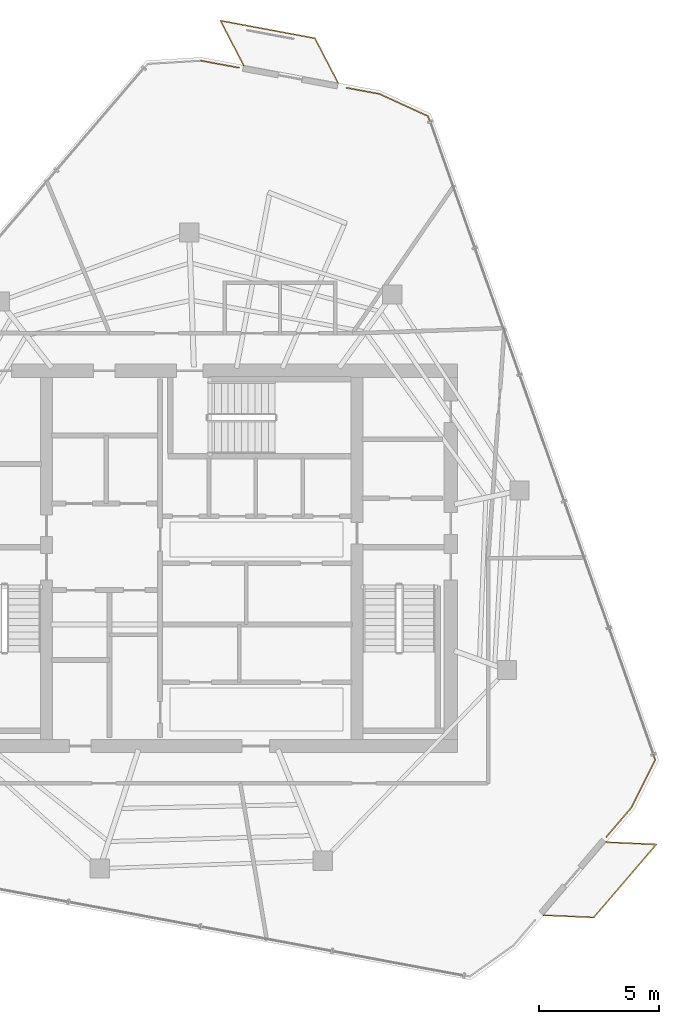
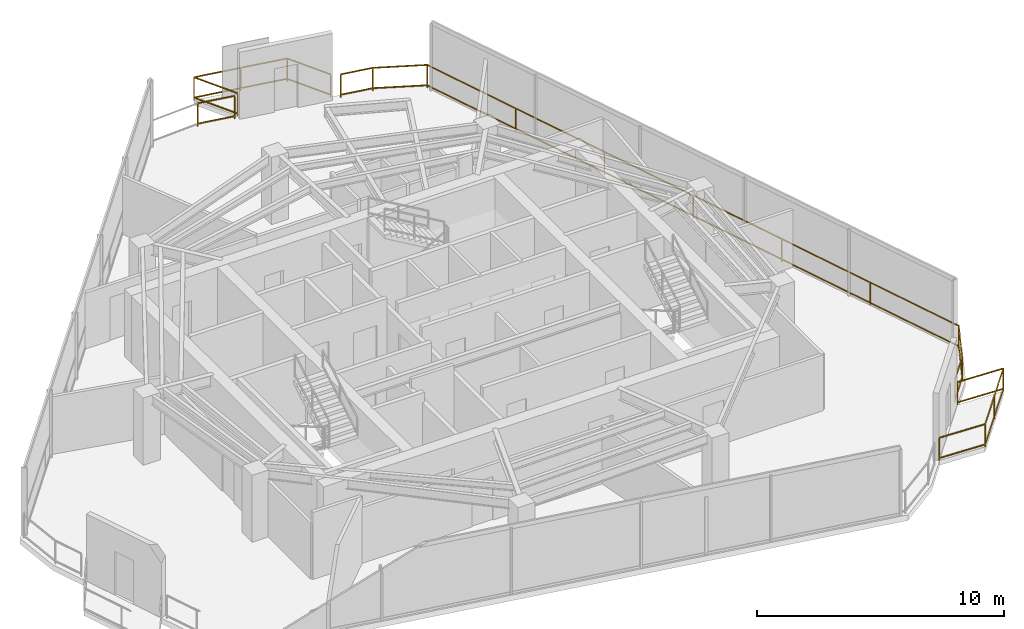
# One storey, part 18 of 18: 4 railings.
"""IFC4 building model written with IfcOpenShell, lengths in metres."""

from ifc_helpers import new_model, si_unit, direction, frame, origin, origin_2d, place, context, subcontext, project, spatial, rectangle, extrude, material, type_object, element, save


model = new_model("IFC4")

# Units and contexts
model_context = context("Model", 3, precision=1e-05, world=origin(), true_north=direction((0.0, 1.0)))
body_context = subcontext(model_context, "Body", "Model", "MODEL_VIEW")
ifc_project = project(units=[si_unit("LENGTHUNIT", "METRE"), si_unit("AREAUNIT", "SQUARE_METRE"), si_unit("VOLUMEUNIT", "CUBIC_METRE"), si_unit("PLANEANGLEUNIT", "RADIAN"), si_unit("MASSUNIT", "GRAM", prefix="KILO")], contexts=[model_context])

# Site, building, storey
site_placement = place(None, origin())
site = spatial("IfcSite", under=ifc_project, at=site_placement, CompositionType="ELEMENT")
building_placement = place(site_placement, origin())
building = spatial("IfcBuilding", under=site, at=building_placement, Name="Qarnah Convention Tower", CompositionType="ELEMENT")
storey_placement = place(building_placement, frame((0.0, 0.0, 253.5)))
storey = spatial("IfcBuildingStorey", under=building, at=storey_placement, Name="L68", CompositionType="ELEMENT", Elevation=253.5)

# Railings
ifc_material = material(Name="Black anodised aluminium", Category="aluminium")
railing_type = type_object("IfcRailingType", Name="RL-EXT-GUARD-1150", PredefinedType="GUARDRAIL", material=ifc_material)
railing_1_placement = place(storey_placement, frame((37.22412109375, 47.080078125, 0.0)))
element("IfcRailing", 1, at=railing_1_placement, inside=storey, type_object=railing_type, Name="L68 slab-edge perimeter safety guard 01", PredefinedType="GUARDRAIL", context=body_context, shape_type="SweptSolid", body=[
    extrude(rectangle(XDim=0.048095703125, YDim=0.048095703125, at=origin_2d()), frame((0.0, 0.0, 1.1259765625), z_axis=(0.983034999303, -0.183418074753, 0.0), x_axis=(0.183418074753, 0.983034999303, 0.0)), (0.0, 0.0, 1.0), 1.592041015625),
    extrude(rectangle(XDim=0.048095703125, YDim=0.048095703125, at=origin_2d()), frame((0.0, 0.0, 0.1201171875), z_axis=(0.983034999303, -0.183418074753, 0.0), x_axis=(0.183418074753, 0.983034999303, 0.0)), (0.0, 0.0, 1.0), 1.592041015625),
    extrude(rectangle(XDim=0.0419921875, YDim=0.0419921875, at=origin_2d()), origin(), (0.0, 0.0, 1.0), 1.101806640625),
    extrude(rectangle(XDim=0.0419921875, YDim=0.0419921875, at=origin_2d()), frame((1.56494140625, -0.2919921875, 0.0)), (0.0, 0.0, 1.0), 1.101806640625),
])
railing_2_placement = place(storey_placement, frame((43.27001953125, 45.952880859375, 0.0)))
element("IfcRailing", 2, at=railing_2_placement, inside=storey, type_object=railing_type, Name="L68 slab-edge perimeter safety guard 02", PredefinedType="GUARDRAIL", context=body_context, shape_type="SweptSolid", body=[
    extrude(rectangle(XDim=0.048095703125, YDim=0.048095703125, at=origin_2d()), frame((0.0, 0.0, 1.1259765625), z_axis=(0.98311527336, -0.182987320015, 0.0), x_axis=(0.182987320015, 0.98311527336, 0.0)), (0.0, 0.0, 1.0), 1.38232421875),
    extrude(rectangle(XDim=0.048095703125, YDim=0.048095703125, at=origin_2d()), frame((0.0, 0.0, 0.1201171875), z_axis=(0.98311527336, -0.182987320015, 0.0), x_axis=(0.182987320015, 0.98311527336, 0.0)), (0.0, 0.0, 1.0), 1.38232421875),
    extrude(rectangle(XDim=0.048095703125, YDim=0.048095703125, at=origin_2d()), frame((1.35888671875, -0.2529296875, 1.1259765625), z_axis=(0.909366393646, -0.415996108285, 0.0), x_axis=(0.415996108285, 0.909366393646, 0.0)), (0.0, 0.0, 1.0), 2.221435546875),
    extrude(rectangle(XDim=0.048095703125, YDim=0.048095703125, at=origin_2d()), frame((1.35888671875, -0.2529296875, 0.1201171875), z_axis=(0.909366393646, -0.415996108285, 0.0), x_axis=(0.415996108285, 0.909366393646, 0.0)), (0.0, 0.0, 1.0), 2.221435546875),
    extrude(rectangle(XDim=0.048095703125, YDim=0.048095703125, at=origin_2d()), frame((3.37890625, -1.177001953125, 1.1259765625), z_axis=(0.332808863501, -0.94299430559, 0.0), x_axis=(0.94299430559, 0.332808863501, 0.0)), (0.0, 0.0, 1.0), 28.3681640625),
    extrude(rectangle(XDim=0.048095703125, YDim=0.048095703125, at=origin_2d()), frame((3.37890625, -1.177001953125, 0.1201171875), z_axis=(0.332808863501, -0.94299430559, 0.0), x_axis=(0.94299430559, 0.332808863501, 0.0)), (0.0, 0.0, 1.0), 28.3681640625),
    extrude(rectangle(XDim=0.048095703125, YDim=0.048095703125, at=origin_2d()), frame((12.820068359375, -27.927978515625, 1.1259765625), z_axis=(-0.447301558245, -0.89438320422, 0.0), x_axis=(0.89438320422, -0.447301558245, 0.0)), (0.0, 0.0, 1.0), 2.220458984375),
    extrude(rectangle(XDim=0.048095703125, YDim=0.048095703125, at=origin_2d()), frame((12.820068359375, -27.927978515625, 0.1201171875), z_axis=(-0.447301558245, -0.89438320422, 0.0), x_axis=(0.89438320422, -0.447301558245, 0.0)), (0.0, 0.0, 1.0), 2.220458984375),
    extrude(rectangle(XDim=0.048095703125, YDim=0.048095703125, at=origin_2d()), frame((11.826904296875, -29.913818359375, 1.1259765625), z_axis=(-0.649995467866, -0.759938084158, 0.0), x_axis=(0.759938084158, -0.649995467866, 0.0)), (0.0, 0.0, 1.0), 1.59228515625),
    extrude(rectangle(XDim=0.048095703125, YDim=0.048095703125, at=origin_2d()), frame((11.826904296875, -29.913818359375, 0.1201171875), z_axis=(-0.649995467866, -0.759938084158, 0.0), x_axis=(0.759938084158, -0.649995467866, 0.0)), (0.0, 0.0, 1.0), 1.59228515625),
    extrude(rectangle(XDim=0.0419921875, YDim=0.0419921875, at=origin_2d()), origin(), (0.0, 0.0, 1.0), 1.101806640625),
    extrude(rectangle(XDim=0.0419921875, YDim=0.0419921875, at=origin_2d()), frame((1.35888671875, -0.2529296875, 0.0)), (0.0, 0.0, 1.0), 1.101806640625),
    extrude(rectangle(XDim=0.0419921875, YDim=0.0419921875, at=origin_2d()), frame((3.37890625, -1.177001953125, 0.0)), (0.0, 0.0, 1.0), 1.101806640625),
    extrude(rectangle(XDim=0.0419921875, YDim=0.0419921875, at=origin_2d()), frame((4.952392578125, -5.635498046875, 0.0)), (0.0, 0.0, 1.0), 1.101806640625),
    extrude(rectangle(XDim=0.0419921875, YDim=0.0419921875, at=origin_2d()), frame((6.52587890625, -10.093994140625, 0.0)), (0.0, 0.0, 1.0), 1.101806640625),
    extrude(rectangle(XDim=0.0419921875, YDim=0.0419921875, at=origin_2d()), frame((8.099609375, -14.552490234375, 0.0)), (0.0, 0.0, 1.0), 1.101806640625),
    extrude(rectangle(XDim=0.0419921875, YDim=0.0419921875, at=origin_2d()), frame((9.673095703125, -19.010986328125, 0.0)), (0.0, 0.0, 1.0), 1.101806640625),
    extrude(rectangle(XDim=0.0419921875, YDim=0.0419921875, at=origin_2d()), frame((11.24658203125, -23.469482421875, 0.0)), (0.0, 0.0, 1.0), 1.101806640625),
    extrude(rectangle(XDim=0.0419921875, YDim=0.0419921875, at=origin_2d()), frame((12.820068359375, -27.927978515625, 0.0)), (0.0, 0.0, 1.0), 1.101806640625),
    extrude(rectangle(XDim=0.0419921875, YDim=0.0419921875, at=origin_2d()), frame((11.826904296875, -29.913818359375, 0.0)), (0.0, 0.0, 1.0), 1.101806640625),
    extrude(rectangle(XDim=0.0419921875, YDim=0.0419921875, at=origin_2d()), frame((10.7919921875, -31.123779296875, 0.0)), (0.0, 0.0, 1.0), 1.101806640625),
])
railing_3_placement = place(storey_placement, frame((38.985107421875, 46.888916015625, 0.0)))
element("IfcRailing", 3, at=railing_3_placement, inside=storey, type_object=railing_type, Name="L68 balcony safety guard BAL-L68-C1", PredefinedType="GUARDRAIL", context=body_context, shape_type="SweptSolid", body=[
    extrude(rectangle(XDim=0.048095703125, YDim=0.048095703125, at=origin_2d()), frame((0.0, 0.0, 1.1259765625), z_axis=(-0.460728762876, 0.887540988946, 0.0), x_axis=(-0.887540988946, -0.460728762876, 0.0)), (0.0, 0.0, 1.0), 2.0947265625),
    extrude(rectangle(XDim=0.048095703125, YDim=0.048095703125, at=origin_2d()), frame((0.0, 0.0, 0.1201171875), z_axis=(-0.460728762876, 0.887540988946, 0.0), x_axis=(-0.887540988946, -0.460728762876, 0.0)), (0.0, 0.0, 1.0), 2.0947265625),
    extrude(rectangle(XDim=0.048095703125, YDim=0.048095703125, at=origin_2d()), frame((-0.965087890625, 1.859130859375, 1.1259765625), z_axis=(0.983020395531, -0.183496326858, 0.0), x_axis=(0.183496326858, 0.983020395531, 0.0)), (0.0, 0.0, 1.0), 4.000732421875),
    extrude(rectangle(XDim=0.048095703125, YDim=0.048095703125, at=origin_2d()), frame((-0.965087890625, 1.859130859375, 0.1201171875), z_axis=(0.983020395531, -0.183496326858, 0.0), x_axis=(0.183496326858, 0.983020395531, 0.0)), (0.0, 0.0, 1.0), 4.000732421875),
    extrude(rectangle(XDim=0.048095703125, YDim=0.048095703125, at=origin_2d()), frame((2.9677734375, 1.125, 1.1259765625), z_axis=(0.460599718037, -0.88760796512, 0.0), x_axis=(0.88760796512, 0.460599718037, 0.0)), (0.0, 0.0, 1.0), 2.09326171875),
    extrude(rectangle(XDim=0.048095703125, YDim=0.048095703125, at=origin_2d()), frame((2.9677734375, 1.125, 0.1201171875), z_axis=(0.460599718037, -0.88760796512, 0.0), x_axis=(0.88760796512, 0.460599718037, 0.0)), (0.0, 0.0, 1.0), 2.09326171875),
    extrude(rectangle(XDim=0.0419921875, YDim=0.0419921875, at=origin_2d()), origin(), (0.0, 0.0, 1.0), 1.101806640625),
    extrude(rectangle(XDim=0.0419921875, YDim=0.0419921875, at=origin_2d()), frame((-0.965087890625, 1.859130859375, 0.0)), (0.0, 0.0, 1.0), 1.101806640625),
    extrude(rectangle(XDim=0.0419921875, YDim=0.0419921875, at=origin_2d()), frame((1.00146484375, 1.4921875, 0.0)), (0.0, 0.0, 1.0), 1.101806640625),
    extrude(rectangle(XDim=0.0419921875, YDim=0.0419921875, at=origin_2d()), frame((2.9677734375, 1.125, 0.0)), (0.0, 0.0, 1.0), 1.101806640625),
    extrude(rectangle(XDim=0.0419921875, YDim=0.0419921875, at=origin_2d()), frame((3.931884765625, -0.73291015625, 0.0)), (0.0, 0.0, 1.0), 1.101806640625),
])
railing_4_placement = place(storey_placement, frame((54.052001953125, 14.60888671875, 0.0)))
element("IfcRailing", 4, at=railing_4_placement, inside=storey, type_object=railing_type, Name="L68 balcony safety guard BAL-L68-C3", PredefinedType="GUARDRAIL", context=body_context, shape_type="SweptSolid", body=[
    extrude(rectangle(XDim=0.048095703125, YDim=0.048095703125, at=origin_2d()), frame((0.0, 0.0, 1.1259765625), z_axis=(0.999017252624, -0.044323007122, 0.0), x_axis=(0.044323007122, 0.999017252624, 0.0)), (0.0, 0.0, 1.0), 2.093017578125),
    extrude(rectangle(XDim=0.048095703125, YDim=0.048095703125, at=origin_2d()), frame((0.0, 0.0, 0.1201171875), z_axis=(0.999017252624, -0.044323007122, 0.0), x_axis=(0.044323007122, 0.999017252624, 0.0)), (0.0, 0.0, 1.0), 2.093017578125),
    extrude(rectangle(XDim=0.048095703125, YDim=0.048095703125, at=origin_2d()), frame((2.091064453125, -0.0927734375, 1.1259765625), z_axis=(-0.650238319911, -0.759730299066, 0.0), x_axis=(0.759730299066, -0.650238319911, 0.0)), (0.0, 0.0, 1.0), 4.000244140625),
    extrude(rectangle(XDim=0.048095703125, YDim=0.048095703125, at=origin_2d()), frame((2.091064453125, -0.0927734375, 0.1201171875), z_axis=(-0.650238319911, -0.759730299066, 0.0), x_axis=(0.759730299066, -0.650238319911, 0.0)), (0.0, 0.0, 1.0), 4.000244140625),
    extrude(rectangle(XDim=0.048095703125, YDim=0.048095703125, at=origin_2d()), frame((-0.510009765625, -3.1318359375, 1.1259765625), z_axis=(-0.999012081136, 0.044439416569, 0.0), x_axis=(-0.044439416569, -0.999012081136, 0.0)), (0.0, 0.0, 1.0), 2.093017578125),
    extrude(rectangle(XDim=0.048095703125, YDim=0.048095703125, at=origin_2d()), frame((-0.510009765625, -3.1318359375, 0.1201171875), z_axis=(-0.999012081136, 0.044439416569, 0.0), x_axis=(-0.044439416569, -0.999012081136, 0.0)), (0.0, 0.0, 1.0), 2.093017578125),
    extrude(rectangle(XDim=0.0419921875, YDim=0.0419921875, at=origin_2d()), origin(), (0.0, 0.0, 1.0), 1.101806640625),
    extrude(rectangle(XDim=0.0419921875, YDim=0.0419921875, at=origin_2d()), frame((2.091064453125, -0.0927734375, 0.0)), (0.0, 0.0, 1.0), 1.101806640625),
    extrude(rectangle(XDim=0.0419921875, YDim=0.0419921875, at=origin_2d()), frame((0.79052734375, -1.6123046875, 0.0)), (0.0, 0.0, 1.0), 1.101806640625),
    extrude(rectangle(XDim=0.0419921875, YDim=0.0419921875, at=origin_2d()), frame((-0.510009765625, -3.1318359375, 0.0)), (0.0, 0.0, 1.0), 1.101806640625),
    extrude(rectangle(XDim=0.0419921875, YDim=0.0419921875, at=origin_2d()), frame((-2.60107421875, -3.038818359375, 0.0)), (0.0, 0.0, 1.0), 1.101806640625),
])

save(model, "model.ifc")
